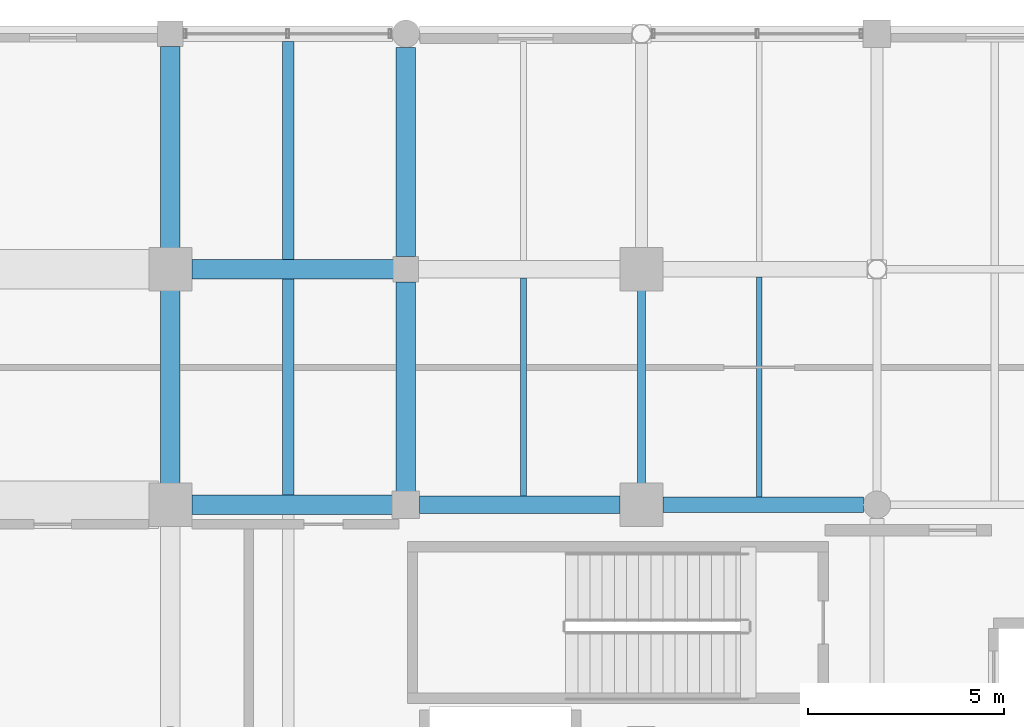
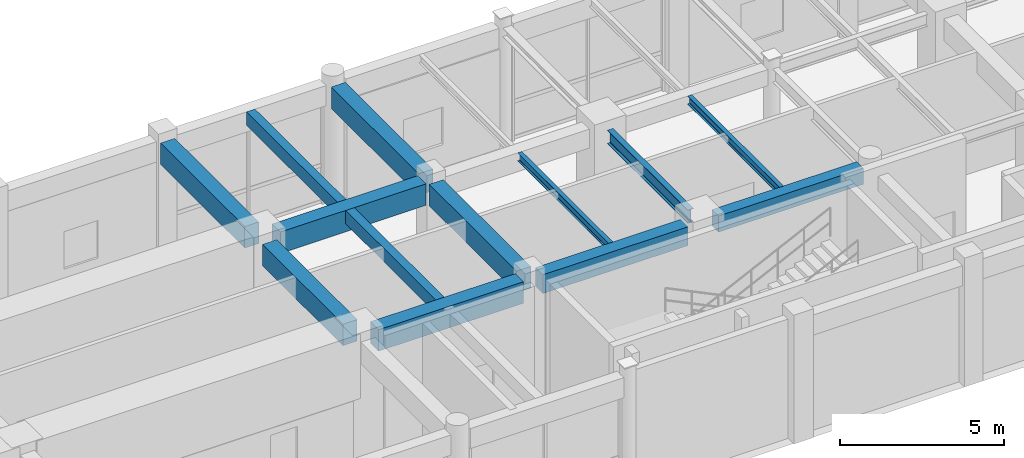
# One storey, part 60 of 123: 13 beams.
"""IFC4 building model written with IfcOpenShell, lengths in metres."""

from ifc_helpers import new_model, si_unit, direction, frame, origin, origin_2d, place, context, subcontext, project, spatial, rectangle, i_section, extrude, material, material_profile, profile_set, type_object, element, save


model = new_model("IFC4")

# Units and contexts
model_context = context("Model", 3, precision=1e-05, world=origin(), true_north=direction((0.0, 1.0)))
body_context = subcontext(model_context, "Body", "Model", "MODEL_VIEW")
ifc_project = project(units=[si_unit("LENGTHUNIT", "METRE"), si_unit("AREAUNIT", "SQUARE_METRE"), si_unit("VOLUMEUNIT", "CUBIC_METRE"), si_unit("PLANEANGLEUNIT", "RADIAN"), si_unit("MASSUNIT", "GRAM", prefix="KILO"), si_unit("THERMODYNAMICTEMPERATUREUNIT", "KELVIN"), si_unit("POWERUNIT", "WATT")], contexts=[model_context])

# Site, building, storey
site_placement = place(None, origin())
site = spatial("IfcSite", under=ifc_project, at=site_placement, CompositionType="ELEMENT")
building_placement = place(site_placement, origin())
building = spatial("IfcBuilding", under=site, at=building_placement, Name="Phaisarnlok Congress Hotel", CompositionType="ELEMENT")
storey_placement = place(building_placement, frame((0.0, 0.0, 15.0)))
storey = spatial("IfcBuildingStorey", under=building, at=storey_placement, Name="L03", CompositionType="ELEMENT", Elevation=15.0)

# Beams
ifc_material_1 = material(Name="Concrete C40/50", Category="concrete")
ifc_material_profile_1 = material_profile(ifc_material_1, rectangle(XDim=0.39990234375, YDim=0.60009765625, at=origin_2d()), Name="RC 400x600")
ifc_profile_set_1 = profile_set([ifc_material_profile_1], Name="Concrete C40/50")
beam_type_1 = type_object("IfcBeamType", Name="BM-RC-400x600", PredefinedType="BEAM", material=ifc_profile_set_1)
beam_1_placement = place(storey_placement, frame((108.544921875, 114.0, 4.14990234375), z_axis=(1.0, 0.0, 0.0), x_axis=(0.0, 1.0, 0.0)))
element("IfcBeam", 1, at=beam_1_placement, inside=storey, type_object=beam_type_1, Name="Beam B-02", PredefinedType="BEAM", context=body_context, shape_type="SweptSolid", body=[
    extrude(rectangle(XDim=0.39990234375, YDim=0.60009765625, at=origin_2d()), origin(), (0.0, 0.0, 1.0), 5.110107421875),
])
ifc_material_profile_2 = material_profile(ifc_material_1, rectangle(XDim=0.449951171875, YDim=0.699951171875, at=origin_2d()), Name="RC 450x700")
ifc_profile_set_2 = profile_set([ifc_material_profile_2], Name="Concrete C40/50")
beam_type_2 = type_object("IfcBeamType", Name="BM-RC-450x700", PredefinedType="BEAM", material=ifc_profile_set_2)
beam_2_placement = place(storey_placement, frame((102.344970703125, 114.0, 4.10009765625), z_axis=(1.0, 0.0, 0.0), x_axis=(0.0, 1.0, 0.0)))
element("IfcBeam", 2, at=beam_2_placement, inside=storey, type_object=beam_type_2, Name="Beam B-03", PredefinedType="BEAM", context=body_context, shape_type="SweptSolid", body=[
    extrude(rectangle(XDim=0.449951171875, YDim=0.699951171875, at=origin_2d()), origin(), (0.0, 0.0, 1.0), 5.110107421875),
])
ifc_material_profile_3 = material_profile(ifc_material_1, rectangle(XDim=0.5, YDim=0.800048828125, at=origin_2d()), Name="RC 500x800")
ifc_profile_set_3 = profile_set([ifc_material_profile_3], Name="Concrete C40/50")
beam_type_3 = type_object("IfcBeamType", Name="BM-RC-500x800", PredefinedType="BEAM", material=ifc_profile_set_3)
beam_3_placement = place(storey_placement, frame((96.544921875, 114.0, 4.050048828125), z_axis=(1.0, 0.0, 0.0), x_axis=(0.0, 1.0, 0.0)))
element("IfcBeam", 3, at=beam_3_placement, inside=storey, type_object=beam_type_3, Name="Beam B-04", PredefinedType="BEAM", context=body_context, shape_type="SweptSolid", body=[
    extrude(rectangle(XDim=0.5, YDim=0.800048828125, at=origin_2d()), origin(), (0.0, 0.0, 1.0), 5.110107421875),
])
beam_4_placement = place(storey_placement, frame((96.0, 114.544921875, 4.050048828125), z_axis=(0.0, 1.0, 0.0), x_axis=(-1.0, 0.0, 0.0)))
element("IfcBeam", 4, at=beam_4_placement, inside=storey, type_object=beam_type_3, Name="Beam B-04", PredefinedType="BEAM", context=body_context, shape_type="SweptSolid", body=[
    extrude(rectangle(XDim=0.5, YDim=0.800048828125, at=origin_2d()), origin(), (0.0, 0.0, 1.0), 4.91015625),
])
for number, where, z_axis, x_axis, name in (
    (5, (96.544921875, 120.0, 4.050048828125), (1.0, 0.0, 0.0), (0.0, 1.0, 0.0), "Beam B-04"),
    (6, (96.0, 120.544921875, 4.050048828125), (0.0, 1.0, 0.0), (-1.0, 0.0, 0.0), "Beam B-04"),
):
    element("IfcBeam", number, at=place(storey_placement, frame(where, z_axis=z_axis, x_axis=x_axis)), inside=storey, type_object=beam_type_3, Name=name, PredefinedType="BEAM", context=body_context, shape_type="SweptSolid", body=[
        extrude(rectangle(XDim=0.5, YDim=0.800048828125, at=origin_2d()), origin(), (0.0, 0.0, 1.0), 5.135009765625),
    ])
for number, where, z_axis, x_axis, name in (
    (7, (102.0, 114.344970703125, 4.050048828125), (0.0, 1.0, 0.0), (-1.0, 0.0, 0.0), "Beam B-04"),
    (8, (102.0, 120.320068359375, 4.050048828125), (0.0, 1.0, 0.0), (-1.0, 0.0, 0.0), "Beam B-04"),
):
    element("IfcBeam", number, at=place(storey_placement, frame(where, z_axis=z_axis, x_axis=x_axis)), inside=storey, type_object=beam_type_3, Name=name, PredefinedType="BEAM", context=body_context, shape_type="SweptSolid", body=[
        extrude(rectangle(XDim=0.5, YDim=0.800048828125, at=origin_2d()), origin(), (0.0, 0.0, 1.0), 5.3349609375),
    ])
ifc_material_2 = material(Name="Steel S355", Category="steel")
ifc_material_profile_4 = material_profile(ifc_material_2, i_section(OverallWidth=0.199951171875, OverallDepth=0.5, WebThickness=0.01025390625, FlangeThickness=0.01611328125, FilletRadius=0.02099609375, at=origin_2d()), Name="IPE 500")
ifc_profile_set_4 = profile_set([ifc_material_profile_4], Name="Steel S355")
beam_type_4 = type_object("IfcBeamType", Name="BM-STL-IPE500", PredefinedType="BEAM", material=ifc_profile_set_4)
beam_5_placement = place(storey_placement, frame((108.0, 114.544921875, 4.199951171875), z_axis=(0.0, 1.0, 0.0), x_axis=(-1.0, 0.0, 0.0)))
element("IfcBeam", 9, at=beam_5_placement, inside=storey, type_object=beam_type_4, Name="Beam SB-02", PredefinedType="BEAM", context=body_context, shape_type="SweptSolid", body=[
    extrude(i_section(OverallWidth=0.199951171875, OverallDepth=0.5, WebThickness=0.01025390625, FlangeThickness=0.01611328125, FilletRadius=0.02099609375, at=origin_2d()), origin(), (0.0, 0.0, 1.0), 4.91015625),
])
ifc_material_profile_5 = material_profile(ifc_material_1, rectangle(XDim=0.300048828125, YDim=0.5, at=origin_2d()), Name="RC 300x500")
ifc_profile_set_5 = profile_set([ifc_material_profile_5], Name="Concrete C40/50")
beam_type_5 = type_object("IfcBeamType", Name="JS-RC-300x500", PredefinedType="JOIST", material=ifc_profile_set_5)
beam_6_placement = place(storey_placement, frame((99.0, 114.2451171875, 4.199951171875), z_axis=(0.0, 1.0, 0.0), x_axis=(-1.0, 0.0, 0.0)))
element("IfcBeam", 10, at=beam_6_placement, inside=storey, type_object=beam_type_5, Name="Secondary floor joist J-01", PredefinedType="JOIST", context=body_context, shape_type="SweptSolid", body=[
    extrude(rectangle(XDim=0.300048828125, YDim=0.5, at=origin_2d()), origin(), (0.0, 0.0, 1.0), 5.509765625),
])
beam_7_placement = place(storey_placement, frame((99.0, 120.2451171875, 4.199951171875), z_axis=(0.0, 1.0, 0.0), x_axis=(-1.0, 0.0, 0.0)))
element("IfcBeam", 11, at=beam_7_placement, inside=storey, type_object=beam_type_5, Name="Secondary floor joist J-01", PredefinedType="JOIST", context=body_context, shape_type="SweptSolid", body=[
    extrude(rectangle(XDim=0.300048828125, YDim=0.5, at=origin_2d()), origin(), (0.0, 0.0, 1.0), 5.559814453125),
])
ifc_material_profile_6 = material_profile(ifc_material_2, i_section(OverallWidth=0.14990234375, OverallDepth=0.300048828125, WebThickness=0.007080078125, FlangeThickness=0.0107421875, FilletRadius=0.014892578125, at=origin_2d()), Name="IPE 300")
ifc_profile_set_6 = profile_set([ifc_material_profile_6], Name="Steel S355")
beam_type_6 = type_object("IfcBeamType", Name="JS-STL-IPE300", PredefinedType="JOIST", material=ifc_profile_set_6)
beam_8_placement = place(storey_placement, frame((105.0, 114.219970703125, 4.300048828125), z_axis=(0.0, 1.0, 0.0), x_axis=(-1.0, 0.0, 0.0)))
element("IfcBeam", 12, at=beam_8_placement, inside=storey, type_object=beam_type_6, Name="Secondary floor joist J-03", PredefinedType="JOIST", context=body_context, shape_type="SweptSolid", body=[
    extrude(i_section(OverallWidth=0.14990234375, OverallDepth=0.300048828125, WebThickness=0.007080078125, FlangeThickness=0.0107421875, FilletRadius=0.014892578125, at=origin_2d()), origin(), (0.0, 0.0, 1.0), 5.56005859375),
])
beam_9_placement = place(storey_placement, frame((111.0, 114.195068359375, 4.300048828125), z_axis=(0.0, 1.0, 0.0), x_axis=(-1.0, 0.0, 0.0)))
element("IfcBeam", 13, at=beam_9_placement, inside=storey, type_object=beam_type_6, Name="Secondary floor joist J-03", PredefinedType="JOIST", context=body_context, shape_type="SweptSolid", body=[
    extrude(i_section(OverallWidth=0.14990234375, OverallDepth=0.300048828125, WebThickness=0.007080078125, FlangeThickness=0.0107421875, FilletRadius=0.014892578125, at=origin_2d()), origin(), (0.0, 0.0, 1.0), 5.60986328125),
])

save(model, "model.ifc")
